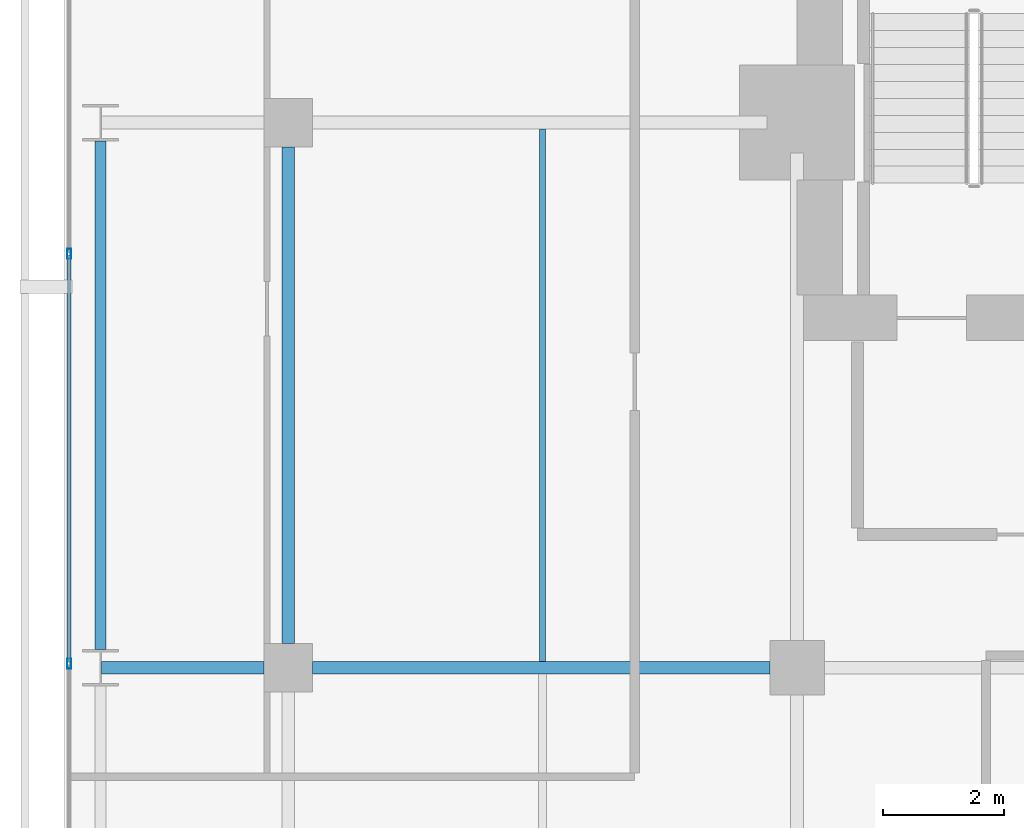
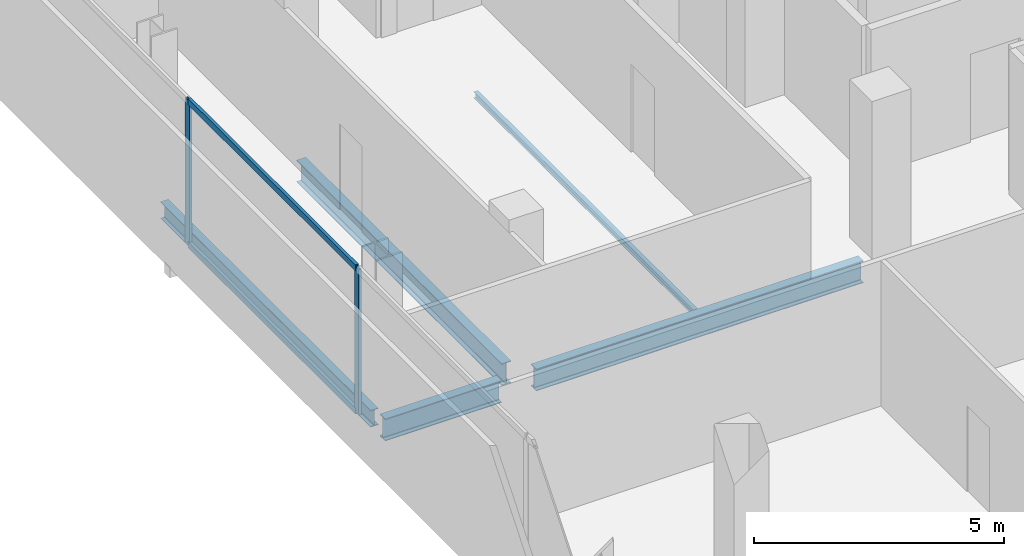
# One storey, part 18 of 32: 5 beams, 4 members, 1 element without a shape of its own.
"""IFC4 building model written with IfcOpenShell, lengths in metres."""

import ifcopenshell
import ifcopenshell.guid

model = None  # the IFC model being written
_history = None  # IfcOwnerHistory: only IFC2X3 demands one
_inside = {}  # id of a spatial element -> (the spatial element, [elements in it])
_under = {}  # id of a project, library or spatial element -> (it, [spatial elements below it])
_declared = {}  # id of a project -> (the project, [libraries it declares])
_typed = {}  # id of a type object -> (the type object, [elements of that type])
_made_of = {}  # id of a material, layer set ... -> (it, [elements and type objects made of it])


def new_model(schema):
    """Start an empty IFC model of exactly this schema.

    Asked for "IFC4X3", IfcOpenShell would pick the latest addendum, in which some entities
    have other attributes; the version numbers below select the first issue.
    IFC2X3 requires an IfcOwnerHistory on every rooted entity: one is made here for all.
    """
    global model, _history
    if schema == "IFC4X3":
        model = ifcopenshell.file(schema_version=(4, 3, 0, 0))
    else:
        model = ifcopenshell.file(schema=schema)
    _inside.clear()
    _under.clear()
    _declared.clear()
    _typed.clear()
    _made_of.clear()
    _history = None
    if model.schema == "IFC2X3":
        org = make("IfcOrganization", Name="unknown")
        user = make(
            "IfcPersonAndOrganization",
            ThePerson=make("IfcPerson", FamilyName="unknown"),
            TheOrganization=org,
        )
        app = make(
            "IfcApplication",
            ApplicationDeveloper=org,
            Version="unknown",
            ApplicationFullName="unknown",
            ApplicationIdentifier="unknown",
        )
        _history = make(
            "IfcOwnerHistory",
            OwningUser=user,
            OwningApplication=app,
            ChangeAction="ADDED",
            CreationDate=0,
        )
    return model


def make(cls, **values):
    """One entity of the class cls with the attributes given. An attribute that is None is left unset."""
    return model.create_entity(
        cls, **{name: value for name, value in values.items() if value is not None}
    )


def rooted(cls, **values):
    """An entity with a GlobalId (a new one), such as an element, a storey or a relation."""
    return make(cls, GlobalId=ifcopenshell.guid.new(), OwnerHistory=_history, **values)


def si_unit(unit_type, name, prefix=None):
    """IfcSIUnit, for example si_unit("LENGTHUNIT", "METRE", prefix="MILLI")."""
    return make("IfcSIUnit", UnitType=unit_type, Prefix=prefix, Name=name)


def assignment(units):
    """IfcUnitAssignment: the units of a project."""
    return None if units is None else make("IfcUnitAssignment", Units=units)


def point(xyz):
    """IfcCartesianPoint."""
    return None if xyz is None else make("IfcCartesianPoint", Coordinates=xyz)


def direction(xyz):
    """IfcDirection."""
    return None if xyz is None else make("IfcDirection", DirectionRatios=xyz)


def frame(location, z_axis=None, x_axis=None):
    """IfcAxis2Placement3D, a coordinate frame: its origin and axes. An axis left out is left unset."""
    return make(
        "IfcAxis2Placement3D",
        Location=point(location),
        Axis=direction(z_axis),
        RefDirection=direction(x_axis),
    )


def frame_2d(location, x_axis=None):
    """IfcAxis2Placement2D, a coordinate frame in the plane: its origin and x axis."""
    return make(
        "IfcAxis2Placement2D", Location=point(location), RefDirection=direction(x_axis)
    )


def origin():
    """The frame at (0, 0, 0) with its axes left unset."""
    return frame((0.0, 0.0, 0.0))


def origin_2d():
    """The frame at (0, 0) in the plane with its x axis left unset."""
    return frame_2d((0.0, 0.0))


def place(relative_to, where):
    """IfcLocalPlacement: puts the frame where relative to a parent placement (None: the world)."""
    return make(
        "IfcLocalPlacement", PlacementRelTo=relative_to, RelativePlacement=where
    )


def context(
    kind, dimensions, precision=None, world=None, true_north=None, identifier=None
):
    """IfcGeometricRepresentationContext, for example the 3D "Model" context."""
    return make(
        "IfcGeometricRepresentationContext",
        ContextIdentifier=identifier,
        ContextType=kind,
        CoordinateSpaceDimension=dimensions,
        Precision=precision,
        WorldCoordinateSystem=world,
        TrueNorth=true_north,
    )


def subcontext(parent, identifier, kind, view, scale=None):
    """IfcGeometricRepresentationSubContext, for example "Body" below "Model"."""
    return make(
        "IfcGeometricRepresentationSubContext",
        ContextIdentifier=identifier,
        ContextType=kind,
        ParentContext=parent,
        TargetScale=scale,
        TargetView=view,
    )


def project(units=None, contexts=None):
    """IfcProject with its units and contexts."""
    return rooted(
        "IfcProject",
        Name="project",
        RepresentationContexts=contexts,
        UnitsInContext=assignment(units),
    )


def spatial(cls, under=None, at=None, **own):
    """A site, building, storey or space (cls), placed at a placement, below another one or the project."""
    s = rooted(cls, ObjectPlacement=at, **own)
    if under is not None:
        _under.setdefault(under.id(), (under, []))[1].append(s)
    return s


def profile(cls, at=None, kind="AREA", **sizes):
    """A parametric profile (cls). Its sizes go by their IFC names, for example OverallWidth=200.0."""
    return make(cls, ProfileType=kind, Position=at, **sizes)


def hollow_rectangle(**sizes):
    """IfcRectangleHollowProfileDef."""
    return profile("IfcRectangleHollowProfileDef", **sizes)


def i_section(**sizes):
    """IfcIShapeProfileDef."""
    return profile("IfcIShapeProfileDef", **sizes)


def extrude(swept, where, along, depth):
    """IfcExtrudedAreaSolid: the profile swept, set in the frame where, extruded along a direction by depth."""
    return make(
        "IfcExtrudedAreaSolid",
        SweptArea=swept,
        Position=where,
        ExtrudedDirection=direction(along),
        Depth=depth,
    )


def shape(context_of_items, identifier, shape_type, items):
    """IfcShapeRepresentation: the items that make up one representation, for example the "Body"."""
    return make(
        "IfcShapeRepresentation",
        ContextOfItems=context_of_items,
        RepresentationIdentifier=identifier,
        RepresentationType=shape_type,
        Items=items,
    )


def material(Name=None, Category=None):
    """IfcMaterial."""
    return make("IfcMaterial", Name=Name, Category=Category)


def layer(
    of_material, thickness, ventilated=None, Name=None, Category=None, Priority=None
):
    """IfcMaterialLayer: one layer of a wall or slab, of a material (None: an air gap)."""
    return make(
        "IfcMaterialLayer",
        Material=of_material,
        LayerThickness=thickness,
        IsVentilated=ventilated,
        Name=Name,
        Category=Category,
        Priority=Priority,
    )


def layer_set(layers, Name=None):
    """IfcMaterialLayerSet."""
    return make("IfcMaterialLayerSet", MaterialLayers=layers, LayerSetName=Name)


def material_profile(
    of_material, cross_section, Name=None, Category=None, Priority=None
):
    """IfcMaterialProfile: a cross section and its material."""
    return make(
        "IfcMaterialProfile",
        Name=Name,
        Material=of_material,
        Profile=cross_section,
        Priority=Priority,
        Category=Category,
    )


def profile_set(profiles, Name=None, composite=None):
    """IfcMaterialProfileSet."""
    return make(
        "IfcMaterialProfileSet",
        Name=Name,
        MaterialProfiles=profiles,
        CompositeProfile=composite,
    )


def made_of(thing, what):
    """Note that an element or type object is made of a material, layer set ...; save() writes the relation."""
    if what is not None:
        _made_of.setdefault(what.id(), (what, []))[1].append(thing)
    return thing


def type_object(cls, material=None, **own):
    """A type object (cls), such as IfcWallType, which elements share."""
    return made_of(rooted(cls, **own), material)


def element(
    cls,
    number,
    at=None,
    inside=None,
    cuts=None,
    type_object=None,
    material=None,
    context=None,
    identifier="Body",
    shape_type=None,
    held_by="IfcProductDefinitionShape",
    body=None,
    shapes=None,
    **own,
):
    """One element of the class cls, such as IfcWall. Its Tag is "e" and its number.

    at: its placement. inside: the storey or other place that contains it. cuts: it is an
    opening in that element (IfcRelVoidsElement). A single representation is given by context,
    identifier, shape_type and body (its items); several are given by shapes. held_by: the class
    of the entity that holds the representations. save() writes the other relations.
    """
    e = rooted(cls, Tag="e%d" % number, ObjectPlacement=at, **own)
    if body is not None:
        shapes = [shape(context, identifier, shape_type, body)]
    if shapes is not None:
        e.Representation = make(held_by, Representations=shapes)
    if inside is not None:
        _inside.setdefault(inside.id(), (inside, []))[1].append(e)
    if cuts is not None:
        rooted(
            "IfcRelVoidsElement", RelatingBuildingElement=cuts, RelatedOpeningElement=e
        )
    if type_object is not None:
        _typed.setdefault(type_object.id(), (type_object, []))[1].append(e)
    return made_of(e, material)


def aggregate(whole, parts):
    """IfcRelAggregates: a whole, such as a stair, and the parts it consists of."""
    return rooted("IfcRelAggregates", RelatingObject=whole, RelatedObjects=parts)


def save(model, path):
    """Write the relations noted so far, then the file.

    IfcRelAggregates (storeys below a building ...), IfcRelContainedInSpatialStructure (elements
    in a storey), IfcRelDefinesByType, IfcRelAssociatesMaterial and IfcRelDeclares: one each for
    every whole, place, type object, material and project.
    """
    for whole, parts in _under.values():
        aggregate(whole, parts)
    for where, things in _inside.values():
        rooted(
            "IfcRelContainedInSpatialStructure",
            RelatedElements=things,
            RelatingStructure=where,
        )
    for kind, things in _typed.values():
        rooted("IfcRelDefinesByType", RelatedObjects=things, RelatingType=kind)
    for what, things in _made_of.values():
        rooted("IfcRelAssociatesMaterial", RelatedObjects=things, RelatingMaterial=what)
    for by, libraries in _declared.values():
        rooted("IfcRelDeclares", RelatingContext=by, RelatedDefinitions=libraries)
    model.write(path)


model = new_model("IFC4")

# Units and contexts
model_context = context("Model", 3, precision=1e-05, world=origin(), true_north=direction((0.0, 1.0)))
body_context = subcontext(model_context, "Body", "Model", "MODEL_VIEW")
ifc_project = project(units=[si_unit("LENGTHUNIT", "METRE"), si_unit("AREAUNIT", "SQUARE_METRE"), si_unit("VOLUMEUNIT", "CUBIC_METRE"), si_unit("PLANEANGLEUNIT", "RADIAN"), si_unit("MASSUNIT", "GRAM", prefix="KILO")], contexts=[model_context])

# Site, building, storey
site_placement = place(None, origin())
site = spatial("IfcSite", under=ifc_project, at=site_placement, CompositionType="ELEMENT")
building_placement = place(site_placement, origin())
building = spatial("IfcBuilding", under=site, at=building_placement, Name="Maruvema Waterfront Hotel and Observation Tower", CompositionType="ELEMENT")
storey_placement = place(building_placement, frame((0.0, 0.0, 223.64990234375)))
storey = spatial("IfcBuildingStorey", under=building, at=storey_placement, Name="L55", CompositionType="ELEMENT", Elevation=223.64990234375)

# Curtain wall, members
ifc_material_1 = material(Name="Anodised bronze aluminium and solar-control low-E IGU", Category="aluminium")
ifc_layer = layer(ifc_material_1, 0.159912109375, Name="Zone 2 Amber Inner Thermal Curtain Wall System CW-03")
ifc_layer_set = layer_set([ifc_layer], Name="Anodised bronze aluminium and solar-control low-E IGU")
curtain_wall_type = type_object("IfcCurtainWallType", Name="Zone 2 Amber Inner Thermal Curtain Wall System CW-03", PredefinedType="USERDEFINED", material=ifc_layer_set)
curtain_wall_placement = place(storey_placement, origin())
curtain_wall = element("IfcCurtainWall", 1, at=curtain_wall_placement, inside=storey, type_object=curtain_wall_type, Name="L55 Curtain Wall CW-L55-W", ObjectType="UNITISED CURTAIN WALL", PredefinedType="USERDEFINED")
ifc_material_2 = material(Name="Anodised architectural bronze aluminium", Category="aluminium")
ifc_material_profile_1 = material_profile(ifc_material_2, hollow_rectangle(XDim=0.070068359375, YDim=0.14990234375, WallThickness=0.00390625, at=origin_2d()), Name="ALU-T70x150")
ifc_profile_set_1 = profile_set([ifc_material_profile_1], Name="Anodised architectural bronze aluminium")
member_type_1 = type_object("IfcMemberType", Name="Curtain Wall Horizontal Transom ALU-T70x150", PredefinedType="USERDEFINED", material=ifc_profile_set_1)
member_1_placement = place(storey_placement, frame((13.179931640625, 42.80322265625, 0.030029296875), z_axis=(0.0, -1.0, 0.0), x_axis=(1.0, 0.0, 0.0)))
member_1 = element("IfcMember", 2, at=member_1_placement, type_object=member_type_1, Name="CW-03 transom 2.1", ObjectType="TRANSOM", PredefinedType="USERDEFINED", context=body_context, shape_type="SweptSolid", body=[
    extrude(hollow_rectangle(XDim=0.070068359375, YDim=0.14990234375, WallThickness=0.00390625, at=origin_2d()), origin(), (0.0, 0.0, 1.0), 6.70654296875),
])
member_2_placement = place(storey_placement, frame((13.179931640625, 42.80322265625, 3.52001953125), z_axis=(0.0, -1.0, 0.0), x_axis=(1.0, 0.0, 0.0)))
member_2 = element("IfcMember", 3, at=member_2_placement, type_object=member_type_1, Name="CW-03 transom 2.2", ObjectType="TRANSOM", PredefinedType="USERDEFINED", context=body_context, shape_type="SweptSolid", body=[
    extrude(hollow_rectangle(XDim=0.070068359375, YDim=0.14990234375, WallThickness=0.00390625, at=origin_2d()), origin(), (0.0, 0.0, 1.0), 6.70654296875),
])
ifc_material_3 = material(Name="Anodised architectural bronze aluminium", Category="aluminium")
ifc_material_profile_2 = material_profile(ifc_material_3, hollow_rectangle(XDim=0.06494140625, YDim=0.1650390625, WallThickness=0.00390625, at=origin_2d()), Name="ALU-M65x165")
ifc_profile_set_2 = profile_set([ifc_material_profile_2], Name="Anodised architectural bronze aluminium")
member_type_2 = type_object("IfcMemberType", Name="Curtain Wall Primary Mullion ALU-M65x165", PredefinedType="MULLION", material=ifc_profile_set_2)
member_3_placement = place(storey_placement, frame((13.179931640625, 42.833251953125, 0.0), z_axis=(0.0, 0.0, 1.0), x_axis=(1.0, 0.0, 0.0)))
member_3 = element("IfcMember", 4, at=member_3_placement, type_object=member_type_2, Name="CW-03 mullion 2", PredefinedType="MULLION", context=body_context, shape_type="SweptSolid", body=[
    extrude(hollow_rectangle(XDim=0.06494140625, YDim=0.1650390625, WallThickness=0.00390625, at=origin_2d()), origin(), (0.0, 0.0, 1.0), 3.550048828125),
])
member_4_placement = place(storey_placement, frame((13.179931640625, 36.066650390625, 0.0), z_axis=(0.0, 0.0, 1.0), x_axis=(1.0, 0.0, 0.0)))
member_4 = element("IfcMember", 5, at=member_4_placement, type_object=member_type_2, Name="CW-03 mullion 3", PredefinedType="MULLION", context=body_context, shape_type="SweptSolid", body=[
    extrude(hollow_rectangle(XDim=0.06494140625, YDim=0.1650390625, WallThickness=0.00390625, at=origin_2d()), origin(), (0.0, 0.0, 1.0), 3.550048828125),
])
aggregate(curtain_wall, [member_3, member_4, member_1, member_2])

# Beams
ifc_material_4 = material(Name="Steel ASTM A572 Grade 50", Category="steel")
ifc_material_profile_3 = material_profile(ifc_material_4, i_section(OverallWidth=0.178955078125, OverallDepth=0.409912109375, WebThickness=0.0087890625, FlangeThickness=0.014404296875, FilletRadius=0.014892578125, at=origin_2d()), Name="W410x67.0")
ifc_profile_set_3 = profile_set([ifc_material_profile_3], Name="Steel ASTM A572 Grade 50")
beam_type_1 = type_object("IfcBeamType", Name="Perimeter Spandrel Beam W410x67.0", PredefinedType="SPANDREL", material=ifc_profile_set_3)
beam_1_placement = place(storey_placement, frame((13.699951171875, 36.300048828125, -0.44482421875), z_axis=(0.0, 1.0, 0.0), x_axis=(-1.0, 0.0, 0.0)))
element("IfcBeam", 6, at=beam_1_placement, inside=storey, type_object=beam_type_1, Name="L55 Floor Girder NS-04", PredefinedType="SPANDREL", context=body_context, shape_type="SweptSolid", body=[
    extrude(i_section(OverallWidth=0.178955078125, OverallDepth=0.409912109375, WebThickness=0.0087890625, FlangeThickness=0.014404296875, FilletRadius=0.014892578125, at=origin_2d()), origin(), (0.0, 0.0, 1.0), 8.39990234375),
])
ifc_material_5 = material(Name="Steel ASTM A572 Grade 50", Category="steel")
ifc_material_profile_4 = material_profile(ifc_material_5, i_section(OverallWidth=0.2109375, OverallDepth=0.5390625, WebThickness=0.01171875, FlangeThickness=0.018798828125, FilletRadius=0.014892578125, at=origin_2d()), Name="W530x109.0")
ifc_profile_set_4 = profile_set([ifc_material_profile_4], Name="Steel ASTM A572 Grade 50")
beam_type_2 = type_object("IfcBeamType", Name="Primary Floor Girder W530x109.0", PredefinedType="BEAM", material=ifc_profile_set_4)
beam_2_placement = place(storey_placement, frame((13.71240234375, 36.0, -0.509521484375), z_axis=(1.0, 0.0, 0.0), x_axis=(0.0, 1.0, 0.0)))
element("IfcBeam", 7, at=beam_2_placement, inside=storey, type_object=beam_type_2, Name="L55 Floor Girder EW-23", PredefinedType="BEAM", context=body_context, shape_type="SweptSolid", body=[
    extrude(i_section(OverallWidth=0.2109375, OverallDepth=0.5390625, WebThickness=0.01171875, FlangeThickness=0.018798828125, FilletRadius=0.014892578125, at=origin_2d()), origin(), (0.0, 0.0, 1.0), 2.6875),
])
beam_3_placement = place(storey_placement, frame((17.199951171875, 36.0, -0.509521484375), z_axis=(1.0, 0.0, 0.0), x_axis=(0.0, 1.0, 0.0)))
element("IfcBeam", 8, at=beam_3_placement, inside=storey, type_object=beam_type_2, Name="L55 Floor Girder EW-24", PredefinedType="BEAM", context=body_context, shape_type="SweptSolid", body=[
    extrude(i_section(OverallWidth=0.2109375, OverallDepth=0.5390625, WebThickness=0.01171875, FlangeThickness=0.018798828125, FilletRadius=0.014892578125, at=origin_2d()), origin(), (0.0, 0.0, 1.0), 7.550048828125),
])
beam_4_placement = place(storey_placement, frame((16.800048828125, 36.39990234375, -0.509521484375), z_axis=(0.0, 1.0, 0.0), x_axis=(-1.0, 0.0, 0.0)))
element("IfcBeam", 9, at=beam_4_placement, inside=storey, type_object=beam_type_2, Name="L55 Floor Girder NS-08", PredefinedType="BEAM", context=body_context, shape_type="SweptSolid", body=[
    extrude(i_section(OverallWidth=0.2109375, OverallDepth=0.5390625, WebThickness=0.01171875, FlangeThickness=0.018798828125, FilletRadius=0.014892578125, at=origin_2d()), origin(), (0.0, 0.0, 1.0), 8.2001953125),
])
ifc_material_6 = material(Name="Steel ASTM A572 Grade 50", Category="steel")
ifc_material_profile_5 = material_profile(ifc_material_6, i_section(OverallWidth=0.10009765625, OverallDepth=0.153076171875, WebThickness=0.005859375, FlangeThickness=0.007080078125, FilletRadius=0.008056640625, at=origin_2d()), Name="W150x18.0")
ifc_profile_set_5 = profile_set([ifc_material_profile_5], Name="Steel ASTM A572 Grade 50")
beam_type_3 = type_object("IfcBeamType", Name="Secondary Floor Joist W150x18.0", PredefinedType="JOIST", material=ifc_profile_set_5)
beam_5_placement = place(storey_placement, frame((21.0, 36.10546875, -0.31640625), z_axis=(0.0, 1.0, 0.0), x_axis=(-1.0, 0.0, 0.0)))
element("IfcBeam", 10, at=beam_5_placement, inside=storey, type_object=beam_type_3, Name="L55 Secondary Floor Joist JS-04", PredefinedType="JOIST", context=body_context, shape_type="SweptSolid", body=[
    extrude(i_section(OverallWidth=0.10009765625, OverallDepth=0.153076171875, WebThickness=0.005859375, FlangeThickness=0.007080078125, FilletRadius=0.008056640625, at=origin_2d()), origin(), (0.0, 0.0, 1.0), 8.7890625),
])

save(model, "model.ifc")
